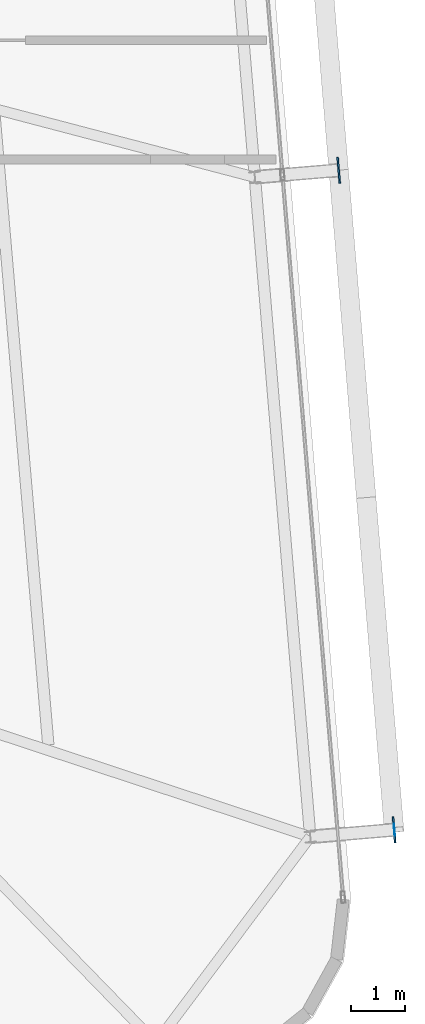
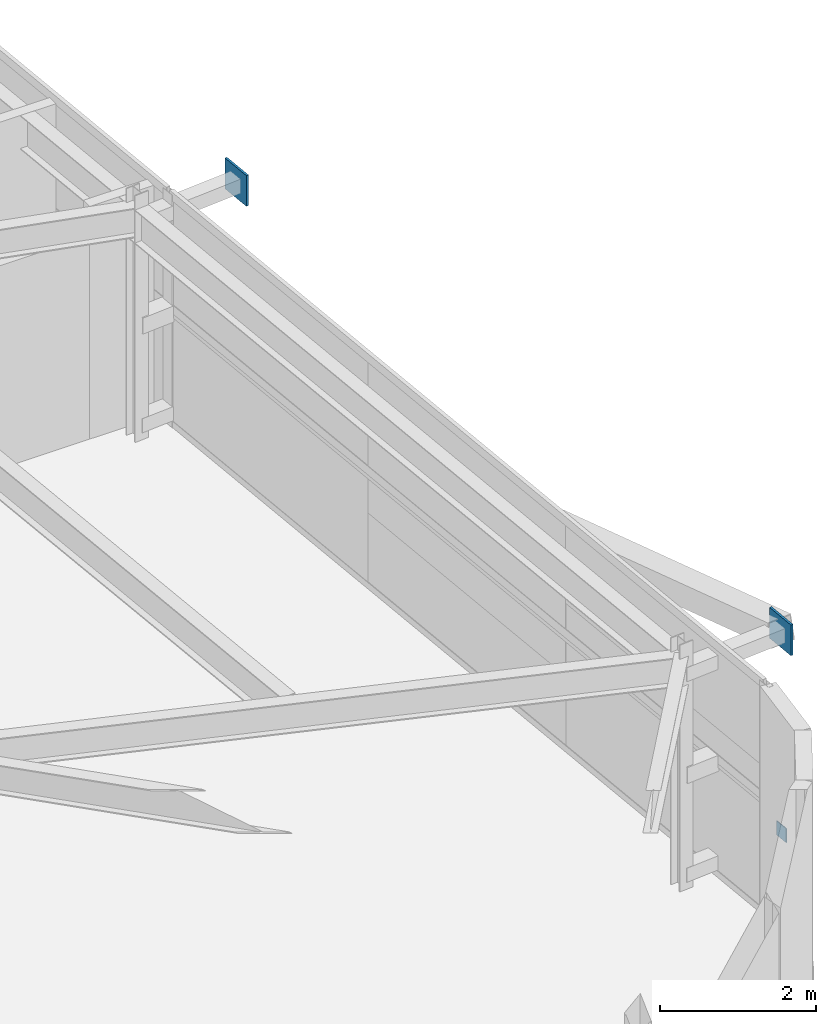
# One storey, part 29 of 38: 3 plates.
"""IFC4 building model written with IfcOpenShell, lengths in metres."""

import ifcopenshell
import ifcopenshell.guid

model = None  # the IFC model being written
_history = None  # IfcOwnerHistory: only IFC2X3 demands one
_inside = {}  # id of a spatial element -> (the spatial element, [elements in it])
_under = {}  # id of a project, library or spatial element -> (it, [spatial elements below it])
_declared = {}  # id of a project -> (the project, [libraries it declares])
_typed = {}  # id of a type object -> (the type object, [elements of that type])
_made_of = {}  # id of a material, layer set ... -> (it, [elements and type objects made of it])


def new_model(schema):
    """Start an empty IFC model of exactly this schema.

    Asked for "IFC4X3", IfcOpenShell would pick the latest addendum, in which some entities
    have other attributes; the version numbers below select the first issue.
    IFC2X3 requires an IfcOwnerHistory on every rooted entity: one is made here for all.
    """
    global model, _history
    if schema == "IFC4X3":
        model = ifcopenshell.file(schema_version=(4, 3, 0, 0))
    else:
        model = ifcopenshell.file(schema=schema)
    _inside.clear()
    _under.clear()
    _declared.clear()
    _typed.clear()
    _made_of.clear()
    _history = None
    if model.schema == "IFC2X3":
        org = make("IfcOrganization", Name="unknown")
        user = make(
            "IfcPersonAndOrganization",
            ThePerson=make("IfcPerson", FamilyName="unknown"),
            TheOrganization=org,
        )
        app = make(
            "IfcApplication",
            ApplicationDeveloper=org,
            Version="unknown",
            ApplicationFullName="unknown",
            ApplicationIdentifier="unknown",
        )
        _history = make(
            "IfcOwnerHistory",
            OwningUser=user,
            OwningApplication=app,
            ChangeAction="ADDED",
            CreationDate=0,
        )
    return model


def make(cls, **values):
    """One entity of the class cls with the attributes given. An attribute that is None is left unset."""
    return model.create_entity(
        cls, **{name: value for name, value in values.items() if value is not None}
    )


def rooted(cls, **values):
    """An entity with a GlobalId (a new one), such as an element, a storey or a relation."""
    return make(cls, GlobalId=ifcopenshell.guid.new(), OwnerHistory=_history, **values)


def si_unit(unit_type, name, prefix=None):
    """IfcSIUnit, for example si_unit("LENGTHUNIT", "METRE", prefix="MILLI")."""
    return make("IfcSIUnit", UnitType=unit_type, Prefix=prefix, Name=name)


def assignment(units):
    """IfcUnitAssignment: the units of a project."""
    return None if units is None else make("IfcUnitAssignment", Units=units)


def point(xyz):
    """IfcCartesianPoint."""
    return None if xyz is None else make("IfcCartesianPoint", Coordinates=xyz)


def direction(xyz):
    """IfcDirection."""
    return None if xyz is None else make("IfcDirection", DirectionRatios=xyz)


def frame(location, z_axis=None, x_axis=None):
    """IfcAxis2Placement3D, a coordinate frame: its origin and axes. An axis left out is left unset."""
    return make(
        "IfcAxis2Placement3D",
        Location=point(location),
        Axis=direction(z_axis),
        RefDirection=direction(x_axis),
    )


def frame_2d(location, x_axis=None):
    """IfcAxis2Placement2D, a coordinate frame in the plane: its origin and x axis."""
    return make(
        "IfcAxis2Placement2D", Location=point(location), RefDirection=direction(x_axis)
    )


def origin():
    """The frame at (0, 0, 0) with its axes left unset."""
    return frame((0.0, 0.0, 0.0))


def origin_2d():
    """The frame at (0, 0) in the plane with its x axis left unset."""
    return frame_2d((0.0, 0.0))


def place(relative_to, where):
    """IfcLocalPlacement: puts the frame where relative to a parent placement (None: the world)."""
    return make(
        "IfcLocalPlacement", PlacementRelTo=relative_to, RelativePlacement=where
    )


def context(
    kind, dimensions, precision=None, world=None, true_north=None, identifier=None
):
    """IfcGeometricRepresentationContext, for example the 3D "Model" context."""
    return make(
        "IfcGeometricRepresentationContext",
        ContextIdentifier=identifier,
        ContextType=kind,
        CoordinateSpaceDimension=dimensions,
        Precision=precision,
        WorldCoordinateSystem=world,
        TrueNorth=true_north,
    )


def subcontext(parent, identifier, kind, view, scale=None):
    """IfcGeometricRepresentationSubContext, for example "Body" below "Model"."""
    return make(
        "IfcGeometricRepresentationSubContext",
        ContextIdentifier=identifier,
        ContextType=kind,
        ParentContext=parent,
        TargetScale=scale,
        TargetView=view,
    )


def project(units=None, contexts=None):
    """IfcProject with its units and contexts."""
    return rooted(
        "IfcProject",
        Name="project",
        RepresentationContexts=contexts,
        UnitsInContext=assignment(units),
    )


def spatial(cls, under=None, at=None, **own):
    """A site, building, storey or space (cls), placed at a placement, below another one or the project."""
    s = rooted(cls, ObjectPlacement=at, **own)
    if under is not None:
        _under.setdefault(under.id(), (under, []))[1].append(s)
    return s


def profile(cls, at=None, kind="AREA", **sizes):
    """A parametric profile (cls). Its sizes go by their IFC names, for example OverallWidth=200.0."""
    return make(cls, ProfileType=kind, Position=at, **sizes)


def rectangle(**sizes):
    """IfcRectangleProfileDef."""
    return profile("IfcRectangleProfileDef", **sizes)


def extrude(swept, where, along, depth):
    """IfcExtrudedAreaSolid: the profile swept, set in the frame where, extruded along a direction by depth."""
    return make(
        "IfcExtrudedAreaSolid",
        SweptArea=swept,
        Position=where,
        ExtrudedDirection=direction(along),
        Depth=depth,
    )


def shape(context_of_items, identifier, shape_type, items):
    """IfcShapeRepresentation: the items that make up one representation, for example the "Body"."""
    return make(
        "IfcShapeRepresentation",
        ContextOfItems=context_of_items,
        RepresentationIdentifier=identifier,
        RepresentationType=shape_type,
        Items=items,
    )


def source(mapping_origin, context_of_items, identifier, shape_type, items):
    """IfcRepresentationMap: a shape defined once, which mapped items show again and again."""
    return make(
        "IfcRepresentationMap",
        MappingOrigin=mapping_origin,
        MappedRepresentation=shape(context_of_items, identifier, shape_type, items),
    )


def transform(
    local_origin,
    x_axis=None,
    y_axis=None,
    z_axis=None,
    scale=None,
    scale2=None,
    scale3=None,
    uniform=True,
):
    """IfcCartesianTransformationOperator3D, or its non-uniform kind. x_axis, y_axis, z_axis: its Axis1, 2, 3."""
    if uniform:
        return make(
            "IfcCartesianTransformationOperator3D",
            Axis1=direction(x_axis),
            Axis2=direction(y_axis),
            LocalOrigin=point(local_origin),
            Scale=scale,
            Axis3=direction(z_axis),
        )
    return make(
        "IfcCartesianTransformationOperator3DnonUniform",
        Axis1=direction(x_axis),
        Axis2=direction(y_axis),
        LocalOrigin=point(local_origin),
        Scale=scale,
        Axis3=direction(z_axis),
        Scale2=scale2,
        Scale3=scale3,
    )


def mapped(mapping_source, mapping_target):
    """IfcMappedItem: shows the shape of a source again, moved by a transform."""
    return make(
        "IfcMappedItem", MappingSource=mapping_source, MappingTarget=mapping_target
    )


def material(Name=None, Category=None):
    """IfcMaterial."""
    return make("IfcMaterial", Name=Name, Category=Category)


def layer(
    of_material, thickness, ventilated=None, Name=None, Category=None, Priority=None
):
    """IfcMaterialLayer: one layer of a wall or slab, of a material (None: an air gap)."""
    return make(
        "IfcMaterialLayer",
        Material=of_material,
        LayerThickness=thickness,
        IsVentilated=ventilated,
        Name=Name,
        Category=Category,
        Priority=Priority,
    )


def layer_set(layers, Name=None):
    """IfcMaterialLayerSet."""
    return make("IfcMaterialLayerSet", MaterialLayers=layers, LayerSetName=Name)


def made_of(thing, what):
    """Note that an element or type object is made of a material, layer set ...; save() writes the relation."""
    if what is not None:
        _made_of.setdefault(what.id(), (what, []))[1].append(thing)
    return thing


def type_object(cls, material=None, **own):
    """A type object (cls), such as IfcWallType, which elements share."""
    return made_of(rooted(cls, **own), material)


def element(
    cls,
    number,
    at=None,
    inside=None,
    cuts=None,
    type_object=None,
    material=None,
    context=None,
    identifier="Body",
    shape_type=None,
    held_by="IfcProductDefinitionShape",
    body=None,
    shapes=None,
    **own,
):
    """One element of the class cls, such as IfcWall. Its Tag is "e" and its number.

    at: its placement. inside: the storey or other place that contains it. cuts: it is an
    opening in that element (IfcRelVoidsElement). A single representation is given by context,
    identifier, shape_type and body (its items); several are given by shapes. held_by: the class
    of the entity that holds the representations. save() writes the other relations.
    """
    e = rooted(cls, Tag="e%d" % number, ObjectPlacement=at, **own)
    if body is not None:
        shapes = [shape(context, identifier, shape_type, body)]
    if shapes is not None:
        e.Representation = make(held_by, Representations=shapes)
    if inside is not None:
        _inside.setdefault(inside.id(), (inside, []))[1].append(e)
    if cuts is not None:
        rooted(
            "IfcRelVoidsElement", RelatingBuildingElement=cuts, RelatedOpeningElement=e
        )
    if type_object is not None:
        _typed.setdefault(type_object.id(), (type_object, []))[1].append(e)
    return made_of(e, material)


def aggregate(whole, parts):
    """IfcRelAggregates: a whole, such as a stair, and the parts it consists of."""
    return rooted("IfcRelAggregates", RelatingObject=whole, RelatedObjects=parts)


def save(model, path):
    """Write the relations noted so far, then the file.

    IfcRelAggregates (storeys below a building ...), IfcRelContainedInSpatialStructure (elements
    in a storey), IfcRelDefinesByType, IfcRelAssociatesMaterial and IfcRelDeclares: one each for
    every whole, place, type object, material and project.
    """
    for whole, parts in _under.values():
        aggregate(whole, parts)
    for where, things in _inside.values():
        rooted(
            "IfcRelContainedInSpatialStructure",
            RelatedElements=things,
            RelatingStructure=where,
        )
    for kind, things in _typed.values():
        rooted("IfcRelDefinesByType", RelatedObjects=things, RelatingType=kind)
    for what, things in _made_of.values():
        rooted("IfcRelAssociatesMaterial", RelatedObjects=things, RelatingMaterial=what)
    for by, libraries in _declared.values():
        rooted("IfcRelDeclares", RelatingContext=by, RelatedDefinitions=libraries)
    model.write(path)


model = new_model("IFC4")

# Units and contexts
model_context = context("Model", 3, precision=1e-05, world=origin(), true_north=direction((0.0, 1.0)))
body_context = subcontext(model_context, "Body", "Model", "MODEL_VIEW")
ifc_project = project(units=[si_unit("LENGTHUNIT", "METRE"), si_unit("AREAUNIT", "SQUARE_METRE"), si_unit("VOLUMEUNIT", "CUBIC_METRE"), si_unit("PLANEANGLEUNIT", "RADIAN"), si_unit("MASSUNIT", "GRAM", prefix="KILO")], contexts=[model_context])

# Site, building, storey
site_placement = place(None, origin())
site = spatial("IfcSite", under=ifc_project, at=site_placement, CompositionType="ELEMENT")
building_placement = place(site_placement, origin())
building = spatial("IfcBuilding", under=site, at=building_placement, Name="Taldren Reach Tower", CompositionType="ELEMENT")
storey_placement = place(building_placement, frame((0.0, 0.0, 168.699951171875)))
storey = spatial("IfcBuildingStorey", under=building, at=storey_placement, Name="L51", CompositionType="ELEMENT", Elevation=168.699951171875)

# Plates
ifc_material = material(Name="Steel Gr 450 (C450L0)", Category="steel")
ifc_layer_1 = layer(ifc_material, 0.031982421875)
ifc_layer_set_1 = layer_set([ifc_layer_1], Name="Steel Gr 450 (C450L0)")
plate_type_1 = type_object("IfcPlateType", Name="PL-GUSSET-32", PredefinedType="SHEET", material=ifc_layer_set_1)
shared_shape_1 = source(origin(), body_context, "Body", "SweptSolid", [
    extrude(rectangle(XDim=0.47998046875, YDim=0.031982421875, at=origin_2d()), origin(), (0.0, 0.0, 1.0), 0.47998046875),
])
for number, where, z_axis, x_axis, name in (
    (1, (63.1826171875, 9.447265625, 3.110107421875), (0.0, 0.0, 1.0), (-0.083677843332, 0.99649285925, 0.0), "Exoskeleton star-node gusset plate B4-E1 L51"),
    (2, (62.161865234375, 21.6044921875, 3.110107421875), (0.0, 0.0, 1.0), (-0.083677843332, 0.99649285925, 0.0), "Exoskeleton star-node gusset plate B4-E2 L51"),
):
    element("IfcPlate", number, at=place(storey_placement, frame(where, z_axis=z_axis, x_axis=x_axis)), inside=storey, type_object=plate_type_1, Name=name, PredefinedType="SHEET", context=body_context, shape_type="MappedRepresentation", body=[
        mapped(shared_shape_1, transform((0.0, 0.0, 0.0), scale=1.0)),
    ])
ifc_layer_2 = layer(ifc_material, 0.011962890625)
ifc_layer_set_2 = layer_set([ifc_layer_2], Name="Steel Gr 450 (C450L0)")
plate_type_2 = type_object("IfcPlateType", Name="PL-CAP-220", PredefinedType="SHEET", material=ifc_layer_set_2)
shared_shape_2 = source(origin(), body_context, "Body", "SweptSolid", [
    extrude(rectangle(XDim=0.011962890625, YDim=0.219970703125, at=origin_2d()), origin(), (0.0, 0.0, 1.0), 0.219970703125),
])
plate_placement = place(storey_placement, frame((63.188720703125, 9.44775390625, 0.10986328125), z_axis=(0.0, 0.0, 1.0), x_axis=(0.99649285925, 0.083677843332, 0.0)))
element("IfcPlate", 3, at=plate_placement, inside=storey, type_object=plate_type_2, Name="Tie strut end cap plate B4-E1 L51", PredefinedType="SHEET", context=body_context, shape_type="MappedRepresentation", body=[
    mapped(shared_shape_2, transform((0.0, 0.0, 0.0), scale=1.0)),
])

save(model, "model.ifc")
